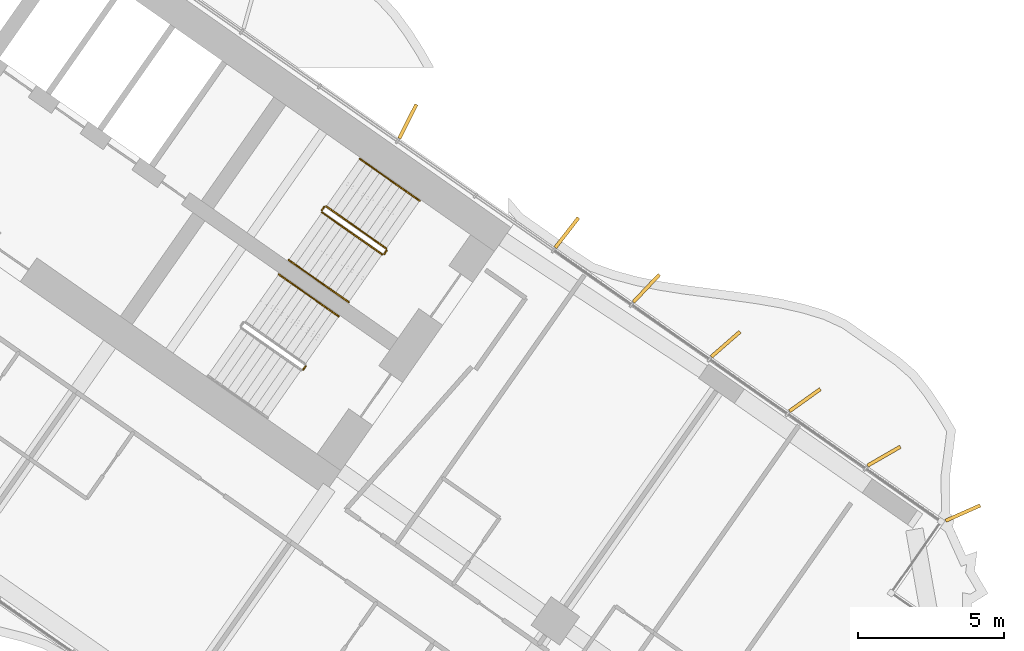
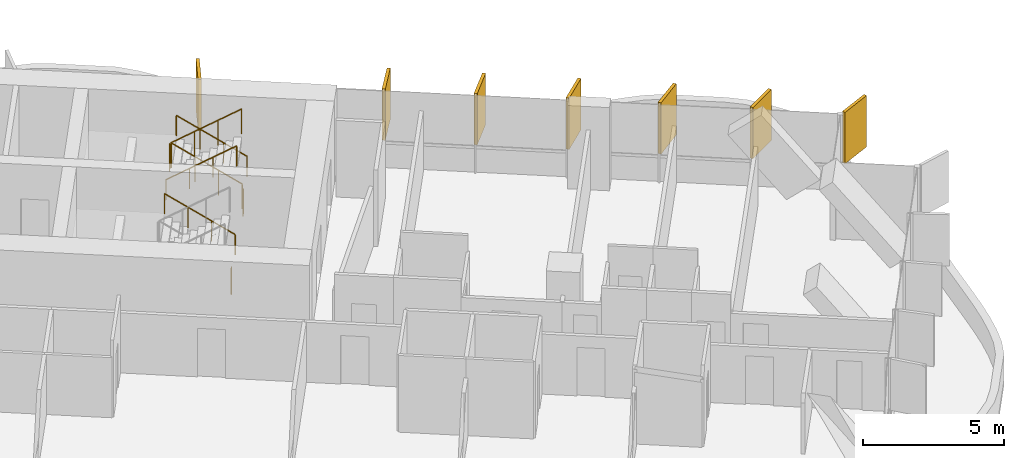
# One storey, part 24 of 24: 8 railings, 7 shading devices.
"""IFC4 building model written with IfcOpenShell, lengths in metres."""

from ifc_helpers import new_model, si_unit, direction, frame, origin, origin_2d, place, context, subcontext, project, spatial, rectangle, circle, extrude, material, layer, layer_set, type_object, element, save


model = new_model("IFC4")

# Units and contexts
model_context = context("Model", 3, precision=1e-05, world=origin(), true_north=direction((0.0, 1.0)))
body_context = subcontext(model_context, "Body", "Model", "MODEL_VIEW")
ifc_project = project(units=[si_unit("LENGTHUNIT", "METRE"), si_unit("AREAUNIT", "SQUARE_METRE"), si_unit("VOLUMEUNIT", "CUBIC_METRE"), si_unit("PLANEANGLEUNIT", "RADIAN"), si_unit("MASSUNIT", "GRAM", prefix="KILO")], contexts=[model_context])

# Site, building, storey
site_placement = place(None, origin())
site = spatial("IfcSite", under=ifc_project, at=site_placement, CompositionType="ELEMENT")
building_placement = place(site_placement, origin())
building = spatial("IfcBuilding", under=site, at=building_placement, Name="Tel Ilan Convention Tower", CompositionType="ELEMENT")
storey_placement = place(building_placement, frame((0.0, 0.0, 72.5)))
storey = spatial("IfcBuildingStorey", under=building, at=storey_placement, Name="L13", CompositionType="ELEMENT", Elevation=72.5)

# Shading devices
ifc_material_1 = material(Name="Aluminium, bronze anodised", Category="aluminium")
ifc_layer = layer(ifc_material_1, 0.1201171875)
ifc_layer_set = layer_set([ifc_layer], Name="FIN BRONZE 1300x120")
shading_device_type = type_object("IfcShadingDeviceType", Name="FIN BRONZE 1300x120", PredefinedType="USERDEFINED", material=ifc_layer_set)
for number, where, z_axis, x_axis, name in (
    (1, (29.882568359375, -7.310302734375, 1.10009765625), (0.0, 0.0, 1.0), (0.612600545196, 0.790392669516, 0.0), "FIN"),
    (2, (24.4189453125, -3.485107421875, 1.10009765625), (0.0, 0.0, 1.0), (0.448799180206, 0.893632640321, 0.0), "FIN"),
    (3, (43.492431640625, -16.944091796875, 1.10009765625), (0.0, 0.0, 1.0), (0.914332505315, 0.404964282034, 0.0), "FIN"),
    (4, (40.78125, -14.98779296875, 1.10009765625), (0.0, 0.0, 1.0), (0.866025403784, 0.5, 0.0), "FIN"),
    (5, (38.063720703125, -13.0625, 1.10009765625), (0.0, 0.0, 1.0), (0.813552070258, 0.581492071294, 0.0), "FIN"),
    (6, (35.34130859375, -11.140869140625, 1.10009765625), (0.0, 0.0, 1.0), (0.753435896329, 0.657521368568, 0.0), "FIN"),
    (7, (32.614013671875, -9.223388671875, 1.10009765625), (0.0, 0.0, 1.0), (0.686241637865, 0.727373641577, 0.0), "FIN"),
):
    element("IfcShadingDevice", number, at=place(storey_placement, frame(where, z_axis=z_axis, x_axis=x_axis)), inside=storey, type_object=shading_device_type, Name=name, ObjectType="FIN", PredefinedType="USERDEFINED", context=body_context, shape_type="SweptSolid", body=[
        extrude(rectangle(XDim=1.300048828125, YDim=0.1201171875, at=origin_2d()), origin(), (0.0, 0.0, 1.0), 2.219970703125),
    ])

# Railings
ifc_material_2 = material(Name="Stainless Steel Grade 316", Category="steel")
railing_type_1 = type_object("IfcRailingType", Name="Stainless Steel Stair Guard 1100 mm", PredefinedType="GUARDRAIL", material=ifc_material_2)
railing_1_placement = place(storey_placement, frame((23.6787109375, -7.8515625, 0.179931640625)))
element("IfcRailing", 8, at=railing_1_placement, inside=storey, type_object=railing_type_1, Name="L13 S3 stair guard 1", PredefinedType="GUARDRAIL", context=body_context, shape_type="SweptSolid", body=[
    extrude(circle(Radius=0.02392578125, at=origin_2d()), frame((0.0, 0.0, 1.076171875), z_axis=(-0.689013013563, 0.482512838948, 0.540779462804), x_axis=(-0.573624882958, -0.819118119475, 0.0)), (0.0, 0.0, 1.0), 2.995849609375),
    extrude(circle(Radius=0.02099609375, at=origin_2d()), origin(), (0.0, 0.0, 1.0), 1.052001953125),
    extrude(circle(Radius=0.02099609375, at=origin_2d()), frame((-0.68798828125, 0.48193359375, 0.5400390625)), (0.0, 0.0, 1.0), 1.052001953125),
    extrude(circle(Radius=0.02099609375, at=origin_2d()), frame((-1.376220703125, 0.963623046875, 1.080078125)), (0.0, 0.0, 1.0), 1.052001953125),
    extrude(circle(Radius=0.02099609375, at=origin_2d()), frame((-2.064208984375, 1.445556640625, 1.6201171875)), (0.0, 0.0, 1.0), 1.052001953125),
])
railing_2_placement = place(storey_placement, frame((21.544921875, -6.41845703125, 1.800048828125)))
element("IfcRailing", 9, at=railing_2_placement, inside=storey, type_object=railing_type_1, Name="L13 S3 stair guard 2", PredefinedType="GUARDRAIL", context=body_context, shape_type="SweptSolid", body=[
    extrude(circle(Radius=0.02392578125, at=origin_2d()), frame((0.0, 0.0, 1.076171875), z_axis=(-0.573353020881, -0.819308436089, 0.0), x_axis=(0.819308436089, -0.573353020881, 0.0)), (0.0, 0.0, 1.0), 0.14990234375),
    extrude(circle(Radius=0.02099609375, at=origin_2d()), origin(), (0.0, 0.0, 1.0), 1.052001953125),
    extrude(circle(Radius=0.02099609375, at=origin_2d()), frame((-0.0859375, -0.122802734375, 0.0)), (0.0, 0.0, 1.0), 1.052001953125),
])
railing_3_placement = place(storey_placement, frame((21.47119140625, -6.61083984375, 1.97998046875)))
element("IfcRailing", 10, at=railing_3_placement, inside=storey, type_object=railing_type_1, Name="L13 S3 stair guard 3", PredefinedType="GUARDRAIL", context=body_context, shape_type="SweptSolid", body=[
    extrude(circle(Radius=0.02392578125, at=origin_2d()), frame((0.0, 0.0, 1.076171875), z_axis=(0.689013013563, -0.482512838948, 0.540779462804), x_axis=(0.573624882958, 0.819118119475, 0.0)), (0.0, 0.0, 1.0), 2.995849609375),
    extrude(circle(Radius=0.02099609375, at=origin_2d()), origin(), (0.0, 0.0, 1.0), 1.052001953125),
    extrude(circle(Radius=0.02099609375, at=origin_2d()), frame((0.68798828125, -0.48193359375, 0.5400390625)), (0.0, 0.0, 1.0), 1.052001953125),
    extrude(circle(Radius=0.02099609375, at=origin_2d()), frame((1.376220703125, -0.963623046875, 1.080078125)), (0.0, 0.0, 1.0), 1.052001953125),
    extrude(circle(Radius=0.02099609375, at=origin_2d()), frame((2.064208984375, -1.445556640625, 1.6201171875)), (0.0, 0.0, 1.0), 1.052001953125),
])
railing_4_placement = place(storey_placement, frame((23.691162109375, -7.921142578125, 0.0)))
element("IfcRailing", 11, at=railing_4_placement, inside=storey, type_object=railing_type_1, Name="L13 S3 stair guard 4", PredefinedType="GUARDRAIL", context=body_context, shape_type="SweptSolid", body=[
    extrude(circle(Radius=0.02392578125, at=origin_2d()), frame((0.0, 0.0, 1.076171875), z_axis=(-0.574444878118, -0.818543268254, 0.0), x_axis=(0.818543268254, -0.574444878118, 0.0)), (0.0, 0.0, 1.0), 0.150146484375),
    extrude(circle(Radius=0.02099609375, at=origin_2d()), origin(), (0.0, 0.0, 1.0), 1.052001953125),
    extrude(circle(Radius=0.02099609375, at=origin_2d()), frame((-0.086181640625, -0.122802734375, 0.0)), (0.0, 0.0, 1.0), 1.052001953125),
])
railing_5_placement = place(storey_placement, frame((20.9091796875, -11.89404296875, 0.0)))
element("IfcRailing", 12, at=railing_5_placement, inside=storey, type_object=railing_type_1, Name="L13 S4 stair guard 4", PredefinedType="GUARDRAIL", context=body_context, shape_type="SweptSolid", body=[
    extrude(circle(Radius=0.02392578125, at=origin_2d()), frame((0.0, 0.0, 1.076171875), z_axis=(-0.573353020881, -0.819308436089, 0.0), x_axis=(0.819308436089, -0.573353020881, 0.0)), (0.0, 0.0, 1.0), 0.14990234375),
    extrude(circle(Radius=0.02099609375, at=origin_2d()), origin(), (0.0, 0.0, 1.0), 1.052001953125),
    extrude(circle(Radius=0.02099609375, at=origin_2d()), frame((-0.0859375, -0.122802734375, 0.0)), (0.0, 0.0, 1.0), 1.052001953125),
])
ifc_material_3 = material(Name="Stainless Steel Grade 316", Category="steel")
railing_type_2 = type_object("IfcRailingType", Name="Stainless Steel Stair Handrail 900 mm", PredefinedType="HANDRAIL", material=ifc_material_3)
railing_6_placement = place(storey_placement, frame((24.825927734375, -6.213134765625, 0.179931640625)))
element("IfcRailing", 13, at=railing_6_placement, inside=storey, type_object=railing_type_2, Name="L13 S3 stair handrail 1", PredefinedType="HANDRAIL", context=body_context, shape_type="SweptSolid", body=[
    extrude(circle(Radius=0.02392578125, at=origin_2d()), frame((0.0, 0.0, 0.8759765625), z_axis=(-0.689040105437, 0.482450316285, 0.54080072616), x_axis=(-0.573559875649, -0.819163639968, 0.0)), (0.0, 0.0, 1.0), 2.995849609375),
    extrude(circle(Radius=0.02099609375, at=origin_2d()), origin(), (0.0, 0.0, 1.0), 0.851806640625),
    extrude(circle(Radius=0.02099609375, at=origin_2d()), frame((-0.68798828125, 0.481689453125, 0.5400390625)), (0.0, 0.0, 1.0), 0.851806640625),
    extrude(circle(Radius=0.02099609375, at=origin_2d()), frame((-1.376220703125, 0.963623046875, 1.080078125)), (0.0, 0.0, 1.0), 0.851806640625),
    extrude(circle(Radius=0.02099609375, at=origin_2d()), frame((-2.064208984375, 1.4453125, 1.6201171875)), (0.0, 0.0, 1.0), 0.851806640625),
])
railing_7_placement = place(storey_placement, frame((20.323974609375, -8.249267578125, 1.97998046875)))
element("IfcRailing", 14, at=railing_7_placement, inside=storey, type_object=railing_type_2, Name="L13 S3 stair handrail 2", PredefinedType="HANDRAIL", context=body_context, shape_type="SweptSolid", body=[
    extrude(circle(Radius=0.02392578125, at=origin_2d()), frame((0.0, 0.0, 0.8759765625), z_axis=(0.689040105437, -0.482450316285, 0.54080072616), x_axis=(0.573559875649, 0.819163639968, 0.0)), (0.0, 0.0, 1.0), 2.995849609375),
    extrude(circle(Radius=0.02099609375, at=origin_2d()), origin(), (0.0, 0.0, 1.0), 0.851806640625),
    extrude(circle(Radius=0.02099609375, at=origin_2d()), frame((0.68798828125, -0.481689453125, 0.5400390625)), (0.0, 0.0, 1.0), 0.851806640625),
    extrude(circle(Radius=0.02099609375, at=origin_2d()), frame((1.376220703125, -0.963623046875, 1.080078125)), (0.0, 0.0, 1.0), 0.851806640625),
    extrude(circle(Radius=0.02099609375, at=origin_2d()), frame((2.064208984375, -1.4453125, 1.6201171875)), (0.0, 0.0, 1.0), 0.851806640625),
])
railing_8_placement = place(storey_placement, frame((22.044189453125, -10.18603515625, 0.179931640625)))
element("IfcRailing", 15, at=railing_8_placement, inside=storey, type_object=railing_type_2, Name="L13 S4 stair handrail 1", PredefinedType="HANDRAIL", context=body_context, shape_type="SweptSolid", body=[
    extrude(circle(Radius=0.02392578125, at=origin_2d()), frame((0.0, 0.0, 0.8759765625), z_axis=(-0.689082904933, 0.482423225781, 0.540770359169), x_axis=(-0.573514357932, -0.81919550856, 0.0)), (0.0, 0.0, 1.0), 2.995849609375),
    extrude(circle(Radius=0.02099609375, at=origin_2d()), origin(), (0.0, 0.0, 1.0), 0.851806640625),
    extrude(circle(Radius=0.02099609375, at=origin_2d()), frame((-0.688232421875, 0.481689453125, 0.5400390625)), (0.0, 0.0, 1.0), 0.851806640625),
    extrude(circle(Radius=0.02099609375, at=origin_2d()), frame((-1.376220703125, 0.963623046875, 1.080078125)), (0.0, 0.0, 1.0), 0.851806640625),
    extrude(circle(Radius=0.02099609375, at=origin_2d()), frame((-2.064453125, 1.4453125, 1.6201171875)), (0.0, 0.0, 1.0), 0.851806640625),
])

save(model, "model.ifc")
